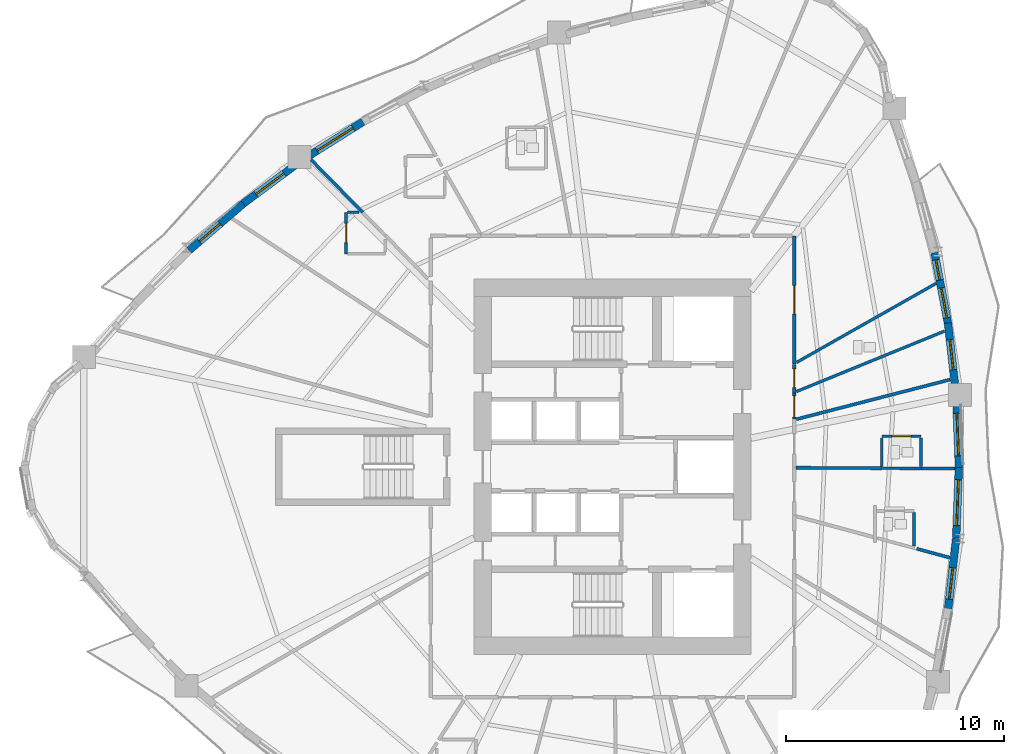
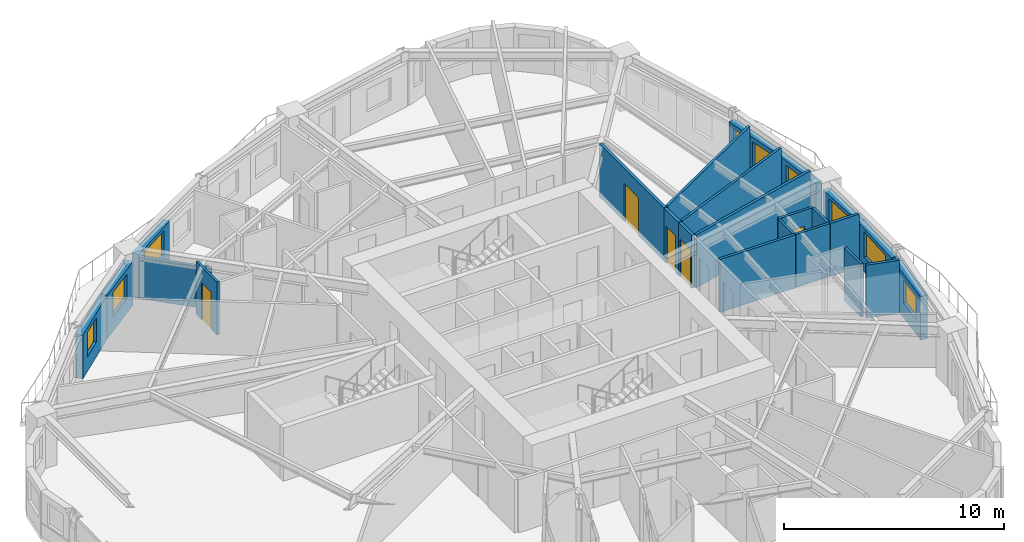
# One storey, part 7 of 13: 25 walls, 9 windows, 5 doors, 14 openings.
"""IFC4 building model written with IfcOpenShell, lengths in metres."""

from ifc_helpers import new_model, si_unit, direction, frame, frame_2d, origin, place, context, subcontext, project, spatial, rectangle, extrude, source, transform, mapped, material, layer, layer_set, type_object, element, fill, save


model = new_model("IFC4")

# Units and contexts
model_context = context("Model", 3, precision=1e-05, world=origin(), true_north=direction((0.0, 1.0)))
body_context = subcontext(model_context, "Body", "Model", "MODEL_VIEW")
ifc_project = project(units=[si_unit("LENGTHUNIT", "METRE"), si_unit("AREAUNIT", "SQUARE_METRE"), si_unit("VOLUMEUNIT", "CUBIC_METRE"), si_unit("PLANEANGLEUNIT", "RADIAN"), si_unit("MASSUNIT", "GRAM", prefix="KILO")], contexts=[model_context])

# Site, building, storey
site_placement = place(None, origin())
site = spatial("IfcSite", under=ifc_project, at=site_placement, CompositionType="ELEMENT")
building_placement = place(site_placement, origin())
building = spatial("IfcBuilding", under=site, at=building_placement, Name="Qafzar Sky-Pleat Residences", CompositionType="ELEMENT")
storey_placement = place(building_placement, frame((0.0, 0.0, 46.199951171875)))
storey = spatial("IfcBuildingStorey", under=building, at=storey_placement, Name="L13", CompositionType="ELEMENT", Elevation=46.199951171875)

# Wall, opening, door
ifc_material_1 = material(Name="Acoustic gypsum plasterboard partition", Category="gypsum")
ifc_layer_1 = layer(ifc_material_1, 0.159912109375)
ifc_layer_set_1 = layer_set([ifc_layer_1], Name="Acoustic gypsum plasterboard partition")
wall_type_1 = type_object("IfcWallType", Name="PART-COR-160", PredefinedType="PARTITIONING", material=ifc_layer_set_1)
wall_1_placement = place(storey_placement, frame((38.679931640625, 36.580078125, 0.0), z_axis=(0.0, 0.0, 1.0), x_axis=(0.0, -1.0, 0.0)))
wall_1 = element("IfcWall", 1, at=wall_1_placement, inside=storey, type_object=wall_type_1, Name="L13 Partition Wall PART-L13-PW-001", PredefinedType="PARTITIONING", context=body_context, shape_type="SweptSolid", body=[
    extrude(rectangle(XDim=5.880126953125, YDim=0.159912109375, at=frame_2d((2.93994140625, 0.0))), origin(), (0.0, 0.0, 1.0), 2.93994140625),
])
opening_1_placement = place(wall_1_placement, frame((2.281494140625, 0.0, 0.0)))
opening_1 = element("IfcOpeningElement", 2, at=opening_1_placement, cuts=wall_1, Name="Opening ID-05", PredefinedType="OPENING", context=body_context, shape_type="SweptSolid", body=[
    extrude(rectangle(XDim=1.300048828125, YDim=2.10009765625, at=frame_2d((0.64990234375, 1.050048828125))), frame((0.0, 0.08984375, 0.0), z_axis=(0.0, -1.0, 0.0), x_axis=(1.0, 0.0, 0.0)), (0.0, 0.0, 1.0), 0.179931640625),
])
ifc_material_2 = material(Name="Timber-faced fire door", Category="wood")
door_type_1 = type_object("IfcDoorType", Name="DR-LNG-1300", OperationType="DOUBLE_DOOR_SINGLE_SWING", PredefinedType="DOOR", material=ifc_material_2)
shared_shape_1 = source(origin(), body_context, "Body", "SweptSolid", [
    extrude(rectangle(XDim=1.300048828125, YDim=2.10009765625, at=frame_2d((0.64990234375, 1.050048828125))), frame((0.0, 0.02490234375, 0.0), z_axis=(0.0, -1.0, 0.0), x_axis=(1.0, 0.0, 0.0)), (0.0, 0.0, 1.0), 0.050048828125),
])
door_1_placement = place(opening_1_placement, origin())
door_1 = element("IfcDoor", 3, at=door_1_placement, inside=storey, type_object=door_type_1, Name="L13 Co-Living Lounge Door", OperationType="DOUBLE_DOOR_SINGLE_SWING", OverallHeight=2.10009765625, OverallWidth=1.300048828125, PredefinedType="DOOR", context=body_context, shape_type="MappedRepresentation", body=[
    mapped(shared_shape_1, transform((0.0, 0.0, 0.0), x_axis=(1.0, 0.0, 0.0), y_axis=(0.0, 1.0, 0.0), z_axis=(0.0, 0.0, 1.0), scale=1.0)),
])
fill(opening_1, door_1)

wall_2_placement = place(storey_placement, frame((38.679931640625, 30.68505859375, 0.0), z_axis=(0.0, 0.0, 1.0), x_axis=(0.0, -1.0, 0.0)))
wall_2 = element("IfcWall", 4, at=wall_2_placement, inside=storey, type_object=wall_type_1, Name="L13 Partition Wall PART-L13-PW-028", PredefinedType="PARTITIONING", context=body_context, shape_type="SweptSolid", body=[
    extrude(rectangle(XDim=1.301025390625, YDim=0.159912109375, at=frame_2d((0.650390625, 0.0))), origin(), (0.0, 0.0, 1.0), 2.93994140625),
])
opening_2_placement = place(wall_2_placement, frame((0.199951171875, 0.0, 0.0)))
opening_2 = element("IfcOpeningElement", 5, at=opening_2_placement, cuts=wall_2, Name="Opening ID-09", PredefinedType="OPENING", context=body_context, shape_type="SweptSolid", body=[
    extrude(rectangle(XDim=0.860107421875, YDim=2.050048828125, at=frame_2d((0.43017578125, 1.02490234375))), frame((0.0, 0.08984375, 0.0), z_axis=(0.0, -1.0, 0.0), x_axis=(1.0, 0.0, 0.0)), (0.0, 0.0, 1.0), 0.179931640625),
])
door_type_2 = type_object("IfcDoorType", Name="DR-SVC-860", OperationType="NOTDEFINED", PredefinedType="DOOR", material=ifc_material_2)
shared_shape_2 = source(origin(), body_context, "Body", "SweptSolid", [
    extrude(rectangle(XDim=0.860107421875, YDim=2.050048828125, at=frame_2d((0.43017578125, 1.02490234375))), frame((0.0, 0.02490234375, 0.0), z_axis=(0.0, -1.0, 0.0), x_axis=(1.0, 0.0, 0.0)), (0.0, 0.0, 1.0), 0.050048828125),
])
door_2_placement = place(opening_2_placement, origin())
door_2 = element("IfcDoor", 6, at=door_2_placement, inside=storey, type_object=door_type_2, Name="L13 Accessible Shared Washroom Door", OperationType="SINGLE_SWING_RIGHT", OverallHeight=2.050048828125, OverallWidth=0.860107421875, PredefinedType="DOOR", context=body_context, shape_type="MappedRepresentation", body=[
    mapped(shared_shape_2, transform((0.0, 0.0, 0.0), x_axis=(1.0, 0.0, 0.0), y_axis=(0.0, 1.0, 0.0), z_axis=(0.0, 0.0, 1.0), scale=1.0)),
])
fill(opening_2, door_2)

wall_3_placement = place(storey_placement, frame((38.679931640625, 29.368896484375, 0.0), z_axis=(0.0, 0.0, 1.0), x_axis=(0.0, -1.0, 0.0)))
wall_3 = element("IfcWall", 7, at=wall_3_placement, inside=storey, type_object=wall_type_1, Name="L13 Partition Wall PART-L13-PW-029", PredefinedType="PARTITIONING", context=body_context, shape_type="SweptSolid", body=[
    extrude(rectangle(XDim=1.18994140625, YDim=0.159912109375, at=frame_2d((0.594970703125, 0.0))), origin(), (0.0, 0.0, 1.0), 2.93994140625),
])
opening_3_placement = place(wall_3_placement, frame((0.12646484375, 0.0, 0.0)))
opening_3 = element("IfcOpeningElement", 8, at=opening_3_placement, cuts=wall_3, Name="Opening ID-06", PredefinedType="OPENING", context=body_context, shape_type="SweptSolid", body=[
    extrude(rectangle(XDim=0.9599609375, YDim=2.10009765625, at=frame_2d((0.47998046875, 1.050048828125))), frame((0.0, 0.08984375, 0.0), z_axis=(0.0, -1.0, 0.0), x_axis=(1.0, 0.0, 0.0)), (0.0, 0.0, 1.0), 0.179931640625),
])
door_type_3 = type_object("IfcDoorType", Name="DR-STD-960", OperationType="NOTDEFINED", PredefinedType="DOOR", material=ifc_material_2)
shared_shape_3 = source(origin(), body_context, "Body", "SweptSolid", [
    extrude(rectangle(XDim=0.9599609375, YDim=2.10009765625, at=frame_2d((0.47998046875, 1.050048828125))), frame((0.0, 0.02490234375, 0.0), z_axis=(0.0, -1.0, 0.0), x_axis=(1.0, 0.0, 0.0)), (0.0, 0.0, 1.0), 0.050048828125),
])
door_3_placement = place(opening_3_placement, origin())
door_3 = element("IfcDoor", 9, at=door_3_placement, inside=storey, type_object=door_type_3, Name="L13 Scholar Study Room Door", OperationType="SINGLE_SWING_LEFT", OverallHeight=2.10009765625, OverallWidth=0.9599609375, PredefinedType="DOOR", context=body_context, shape_type="MappedRepresentation", body=[
    mapped(shared_shape_3, transform((0.0, 0.0, 0.0), x_axis=(1.0, 0.0, 0.0), y_axis=(0.0, 1.0, 0.0), z_axis=(0.0, 0.0, 1.0), scale=1.0)),
])
fill(opening_3, door_3)

# Walls
ifc_layer_2 = layer(ifc_material_1, 0.14501953125)
ifc_layer_set_2 = layer_set([ifc_layer_2], Name="Acoustic gypsum plasterboard partition")
wall_type_2 = type_object("IfcWallType", Name="PART-UNIT-145", PredefinedType="PARTITIONING", material=ifc_layer_set_2)
wall_4_placement = place(storey_placement, frame((38.785888671875, 28.17529296875, 0.0), z_axis=(0.0, 0.0, 1.0), x_axis=(0.96830505458, 0.249770537242, 0.0)))
element("IfcWall", 10, at=wall_4_placement, inside=storey, type_object=wall_type_2, Name="L13 Partition Wall PART-L13-PW-043", PredefinedType="PARTITIONING", context=body_context, shape_type="SweptSolid", body=[
    extrude(rectangle(XDim=7.281982421875, YDim=0.14501953125, at=frame_2d((3.64111328125, 0.0))), origin(), (0.0, 0.0, 1.0), 2.93994140625),
])
wall_5_placement = place(storey_placement, frame((38.768310546875, 25.952392578125, 0.0), z_axis=(0.0, 0.0, 1.0), x_axis=(0.999983822916, -0.005688049444, 0.0)))
element("IfcWall", 11, at=wall_5_placement, inside=storey, type_object=wall_type_2, Name="L13 Partition Wall PART-L13-PW-047", PredefinedType="PARTITIONING", context=body_context, shape_type="SweptSolid", body=[
    extrude(rectangle(XDim=3.94873046875, YDim=0.14501953125, at=frame_2d((1.974365234375, 0.0))), origin(), (0.0, 0.0, 1.0), 2.93994140625),
])
wall_6_placement = place(storey_placement, frame((16.529052734375, 40.08056640625, 0.0), z_axis=(0.0, 0.0, 1.0), x_axis=(0.700331657038, -0.713817602859, 0.0)))
element("IfcWall", 12, at=wall_6_placement, inside=storey, type_object=wall_type_2, Name="L13 Partition Wall PART-L13-PW-051", PredefinedType="PARTITIONING", context=body_context, shape_type="SweptSolid", body=[
    extrude(rectangle(XDim=3.38525390625, YDim=0.14501953125, at=frame_2d((1.692626953125, 0.0))), origin(), (0.0, 0.0, 1.0), 2.30810546875),
])
wall_7_placement = place(storey_placement, frame((44.30517578125, 22.23828125, 0.0), z_axis=(0.0, 0.0, 1.0), x_axis=(0.96544085657, -0.260622240925, 0.0)))
element("IfcWall", 13, at=wall_7_placement, inside=storey, type_object=wall_type_2, Name="L13 Partition Wall PART-L13-PW-072", PredefinedType="PARTITIONING", context=body_context, shape_type="SweptSolid", body=[
    extrude(rectangle(XDim=1.5654296875, YDim=0.14501953125, at=frame_2d((0.78271484375, 0.0))), origin(), (0.0, 0.0, 1.0), 2.93994140625),
])
wall_8_placement = place(storey_placement, frame((44.531982421875, 25.919677734375, 0.0), z_axis=(0.0, 0.0, 1.0), x_axis=(0.999984138171, -0.00563235353, 0.0)))
element("IfcWall", 14, at=wall_8_placement, inside=storey, type_object=wall_type_2, Name="L13 Partition Wall PART-L13-PW-077", PredefinedType="PARTITIONING", context=body_context, shape_type="SweptSolid", body=[
    extrude(rectangle(XDim=1.51708984375, YDim=0.14501953125, at=frame_2d((0.758544921875, 0.0))), origin(), (0.0, 0.0, 1.0), 2.93994140625),
])

# Wall, opening, door
ifc_material_3 = material(Name="Moisture-resistant gypsum partition", Category="gypsum")
ifc_layer_3 = layer(ifc_material_3, 0.1298828125)
ifc_layer_set_3 = layer_set([ifc_layer_3], Name="Moisture-resistant gypsum partition")
wall_type_3 = type_object("IfcWallType", Name="PART-WET-130", PredefinedType="PARTITIONING", material=ifc_layer_set_3)
wall_9_placement = place(storey_placement, frame((18.137939453125, 37.6640625, 0.0), z_axis=(0.0, 0.0, 1.0), x_axis=(0.0, -1.0, 0.0)))
wall_9 = element("IfcWall", 15, at=wall_9_placement, inside=storey, type_object=wall_type_3, Name="L13 Partition Wall PART-L13-PW-019", PredefinedType="PARTITIONING", context=body_context, shape_type="SweptSolid", body=[
    extrude(rectangle(XDim=1.900146484375, YDim=0.1298828125, at=frame_2d((0.9501953125, 0.0))), origin(), (0.0, 0.0, 1.0), 2.93994140625),
])
opening_4_placement = place(wall_9_placement, frame((0.510009765625, 0.0, 0.0)))
opening_4 = element("IfcOpeningElement", 16, at=opening_4_placement, cuts=wall_9, Name="Opening ID-07", PredefinedType="OPENING", context=body_context, shape_type="SweptSolid", body=[
    extrude(rectangle(XDim=0.8798828125, YDim=2.050048828125, at=frame_2d((0.43994140625, 1.02490234375))), frame((0.0, 0.074951171875, 0.0), z_axis=(0.0, -1.0, 0.0), x_axis=(1.0, 0.0, 0.0)), (0.0, 0.0, 1.0), 0.14990234375),
])
door_type_4 = type_object("IfcDoorType", Name="DR-WET-880", OperationType="NOTDEFINED", PredefinedType="DOOR", material=ifc_material_2)
shared_shape_4 = source(origin(), body_context, "Body", "SweptSolid", [
    extrude(rectangle(XDim=0.8798828125, YDim=2.050048828125, at=frame_2d((0.43994140625, 1.02490234375))), frame((0.0, 0.02490234375, 0.0), z_axis=(0.0, -1.0, 0.0), x_axis=(1.0, 0.0, 0.0)), (0.0, 0.0, 1.0), 0.050048828125),
])
door_4_placement = place(opening_4_placement, origin())
door_4 = element("IfcDoor", 17, at=door_4_placement, inside=storey, type_object=door_type_4, Name="L13 En-suite Bathroom 8 Door", OperationType="SINGLE_SWING_LEFT", OverallHeight=2.050048828125, OverallWidth=0.8798828125, PredefinedType="DOOR", context=body_context, shape_type="MappedRepresentation", body=[
    mapped(shared_shape_4, transform((0.0, 0.0, 0.0), x_axis=(1.0, 0.0, 0.0), y_axis=(0.0, 1.0, 0.0), z_axis=(0.0, 0.0, 1.0), scale=1.0)),
])
fill(opening_4, door_4)

wall_10_placement = place(storey_placement, frame((44.501953125, 27.39990234375, 0.0), z_axis=(0.0, 0.0, 1.0), x_axis=(-1.0, 0.0, 0.0)))
wall_10 = element("IfcWall", 18, at=wall_10_placement, inside=storey, type_object=wall_type_3, Name="L13 Partition Wall PART-L13-PW-023", PredefinedType="PARTITIONING", context=body_context, shape_type="SweptSolid", body=[
    extrude(rectangle(XDim=1.800048828125, YDim=0.1298828125, at=frame_2d((0.89990234375, 0.0))), origin(), (0.0, 0.0, 1.0), 2.93994140625),
])
opening_5_placement = place(wall_10_placement, frame((0.4599609375, 0.0, 0.0)))
opening_5 = element("IfcOpeningElement", 19, at=opening_5_placement, cuts=wall_10, Name="Opening ID-07", PredefinedType="OPENING", context=body_context, shape_type="SweptSolid", body=[
    extrude(rectangle(XDim=0.8798828125, YDim=2.050048828125, at=frame_2d((0.43994140625, 1.02490234375))), frame((0.0, 0.074951171875, 0.0), z_axis=(0.0, -1.0, 0.0), x_axis=(1.0, 0.0, 0.0)), (0.0, 0.0, 1.0), 0.14990234375),
])
door_5_placement = place(opening_5_placement, origin())
door_5 = element("IfcDoor", 20, at=door_5_placement, inside=storey, type_object=door_type_4, Name="L13 En-suite Bathroom 4 Door", OperationType="SINGLE_SWING_LEFT", OverallHeight=2.050048828125, OverallWidth=0.8798828125, PredefinedType="DOOR", context=body_context, shape_type="MappedRepresentation", body=[
    mapped(shared_shape_4, transform((0.0, 0.0, 0.0), x_axis=(1.0, 0.0, 0.0), y_axis=(0.0, 1.0, 0.0), z_axis=(0.0, 0.0, 1.0), scale=1.0)),
])
fill(opening_5, door_5)

# Walls
wall_11_placement = place(storey_placement, frame((38.799072265625, 30.784423828125, 0.0), z_axis=(0.0, 0.0, 1.0), x_axis=(0.870159349722, 0.492770439547, 0.0)))
element("IfcWall", 21, at=wall_11_placement, inside=storey, type_object=wall_type_3, Name="L13 Partition Wall PART-L13-PW-041", PredefinedType="PARTITIONING", context=body_context, shape_type="SweptSolid", body=[
    extrude(rectangle(XDim=7.352783203125, YDim=0.1298828125, at=frame_2d((3.67626953125, 0.0))), origin(), (0.0, 0.0, 1.0), 2.93994140625),
])
wall_12_placement = place(storey_placement, frame((38.7919921875, 29.44677734375, 0.0), z_axis=(0.0, 0.0, 1.0), x_axis=(0.925857634668, 0.377872518618, 0.0)))
element("IfcWall", 22, at=wall_12_placement, inside=storey, type_object=wall_type_3, Name="L13 Partition Wall PART-L13-PW-042", PredefinedType="PARTITIONING", context=body_context, shape_type="SweptSolid", body=[
    extrude(rectangle(XDim=7.327880859375, YDim=0.1298828125, at=frame_2d((3.6640625, 0.0))), origin(), (0.0, 0.0, 1.0), 2.93994140625),
])
wall_13_placement = place(storey_placement, frame((42.73193359375, 25.9296875, 0.0), z_axis=(0.0, 0.0, 1.0), x_axis=(0.999985037372, -0.005470377666, 0.0)))
element("IfcWall", 23, at=wall_13_placement, inside=storey, type_object=wall_type_3, Name="L13 Partition Wall PART-L13-PW-068", PredefinedType="PARTITIONING", context=body_context, shape_type="SweptSolid", body=[
    extrude(rectangle(XDim=1.78515625, YDim=0.1298828125, at=frame_2d((0.892578125, 0.0))), origin(), (0.0, 0.0, 1.0), 2.93994140625),
])
wall_14_placement = place(storey_placement, frame((44.18408203125, 22.36376953125, 0.0), z_axis=(0.0, 0.0, 1.0), x_axis=(0.0, 1.0, 0.0)))
element("IfcWall", 24, at=wall_14_placement, inside=storey, type_object=wall_type_3, Name="L13 Partition Wall PART-L13-PW-070", PredefinedType="PARTITIONING", context=body_context, shape_type="SweptSolid", body=[
    extrude(rectangle(XDim=1.53515625, YDim=0.1298828125, at=frame_2d((0.767578125, 0.0))), origin(), (0.0, 0.0, 1.0), 2.93994140625),
])
wall_15_placement = place(storey_placement, frame((44.501953125, 26.0009765625, 0.0), z_axis=(0.0, 0.0, 1.0), x_axis=(0.0, 1.0, 0.0)))
element("IfcWall", 25, at=wall_15_placement, inside=storey, type_object=wall_type_3, Name="L13 Partition Wall PART-L13-PW-078", PredefinedType="PARTITIONING", context=body_context, shape_type="SweptSolid", body=[
    extrude(rectangle(XDim=1.325927734375, YDim=0.1298828125, at=frame_2d((0.6630859375, 0.0))), origin(), (0.0, 0.0, 1.0), 2.93994140625),
])
wall_16_placement = place(storey_placement, frame((42.701904296875, 26.010986328125, 0.0), z_axis=(0.0, 0.0, 1.0), x_axis=(0.0, 1.0, 0.0)))
element("IfcWall", 26, at=wall_16_placement, inside=storey, type_object=wall_type_3, Name="L13 Partition Wall PART-L13-PW-079", PredefinedType="PARTITIONING", context=body_context, shape_type="SweptSolid", body=[
    extrude(rectangle(XDim=1.31591796875, YDim=0.1298828125, at=frame_2d((0.657958984375, 0.0))), origin(), (0.0, 0.0, 1.0), 2.93994140625),
])
wall_17_placement = place(storey_placement, frame((18.2109375, 37.6640625, 0.0), z_axis=(0.0, 0.0, 1.0), x_axis=(1.0, 0.0, 0.0)))
element("IfcWall", 27, at=wall_17_placement, inside=storey, type_object=wall_type_3, Name="L13 Partition Wall PART-L13-PW-086", PredefinedType="PARTITIONING", context=body_context, shape_type="SweptSolid", body=[
    extrude(rectangle(XDim=0.515869140625, YDim=0.1298828125, at=frame_2d((0.2578125, 0.0))), origin(), (0.0, 0.0, 1.0), 2.508056640625),
])

# Wall, opening, window
ifc_material_4 = material(Name="Precast concrete C40/50 with honed Riyadh limestone", Category="concrete")
ifc_layer_4 = layer(ifc_material_4, 0.35009765625)
ifc_layer_set_4 = layer_set([ifc_layer_4], Name="Precast concrete C40/50 with honed Riyadh limestone")
wall_type_4 = type_object("IfcWallType", Name="WALL-EXT-350", PredefinedType="SOLIDWALL", material=ifc_layer_set_4)
wall_18_placement = place(storey_placement, frame((45.735107421875, 19.4072265625, 0.0), z_axis=(0.0, 0.0, 1.0), x_axis=(0.113314766684, 0.993559139484, 0.0)))
wall_18 = element("IfcWall", 28, at=wall_18_placement, inside=storey, type_object=wall_type_4, Name="L13 Limestone Facade Wall 26", PredefinedType="SOLIDWALL", context=body_context, shape_type="SweptSolid", body=[
    extrude(rectangle(XDim=3.32666015625, YDim=0.35009765625, at=frame_2d((1.663330078125, 0.0))), origin(), (0.0, 0.0, 1.0), 2.420166015625),
])
opening_6_placement = place(wall_18_placement, frame((0.521240234375, 0.0, 0.820068359375)))
opening_6 = element("IfcOpeningElement", 29, at=opening_6_placement, cuts=wall_18, Name="Opening WN-15", PredefinedType="OPENING", context=body_context, shape_type="SweptSolid", body=[
    extrude(rectangle(XDim=1.449951171875, YDim=1.25, at=frame_2d((0.72509765625, 0.625))), frame((0.0, 0.18505859375, 0.0), z_axis=(0.0, -1.0, 0.0), x_axis=(1.0, 0.0, 0.0)), (0.0, 0.0, 1.0), 0.3701171875),
])
ifc_material_5 = material(Name="Solar-control low-E glass in bronze aluminium frame", Category="glass")
window_type_1 = type_object("IfcWindowType", Name="WIN-15", PartitioningType="SINGLE_PANEL", PredefinedType="WINDOW", material=ifc_material_5)
shared_shape_5 = source(origin(), body_context, "Body", "SweptSolid", [
    extrude(rectangle(XDim=1.449951171875, YDim=1.25, at=frame_2d((0.72509765625, 0.625))), frame((0.0, 0.030029296875, 0.0), z_axis=(0.0, -1.0, 0.0), x_axis=(1.0, 0.0, 0.0)), (0.0, 0.0, 1.0), 0.06005859375),
])
window_1_placement = place(opening_6_placement, origin())
window_1 = element("IfcWindow", 30, at=window_1_placement, inside=storey, type_object=window_type_1, Name="L13 Punched Facade Window 26", OverallHeight=1.25, OverallWidth=1.449951171875, PartitioningType="SINGLE_PANEL", PredefinedType="WINDOW", context=body_context, shape_type="MappedRepresentation", body=[
    mapped(shared_shape_5, transform((0.0, 0.0, 0.0), x_axis=(1.0, 0.0, 0.0), y_axis=(0.0, 1.0, 0.0), z_axis=(0.0, 0.0, 1.0), scale=1.0)),
])
fill(opening_6, window_1)

wall_19_placement = place(storey_placement, frame((46.114013671875, 22.7392578125, 0.0), z_axis=(0.0, 0.0, 1.0), x_axis=(0.038010770715, 0.999277329529, 0.0)))
wall_19 = element("IfcWall", 31, at=wall_19_placement, inside=storey, type_object=wall_type_4, Name="L13 Limestone Facade Wall 27", PredefinedType="SOLIDWALL", context=body_context, shape_type="SweptSolid", body=[
    extrude(rectangle(XDim=3.307861328125, YDim=0.35009765625, at=frame_2d((1.65380859375, 0.0))), origin(), (0.0, 0.0, 1.0), 2.420166015625),
])
opening_7_placement = place(wall_19_placement, frame((0.56396484375, 0.0, 0.820068359375)))
opening_7 = element("IfcOpeningElement", 32, at=opening_7_placement, cuts=wall_19, Name="Opening WN-07", PredefinedType="OPENING", context=body_context, shape_type="SweptSolid", body=[
    extrude(rectangle(XDim=2.10009765625, YDim=1.39990234375, at=frame_2d((1.050048828125, 0.699951171875))), frame((0.0, 0.18505859375, 0.0), z_axis=(0.0, -1.0, 0.0), x_axis=(1.0, 0.0, 0.0)), (0.0, 0.0, 1.0), 0.3701171875),
])
window_type_2 = type_object("IfcWindowType", Name="WIN-07", PartitioningType="DOUBLE_PANEL_VERTICAL", PredefinedType="WINDOW", material=ifc_material_5)
shared_shape_6 = source(origin(), body_context, "Body", "SweptSolid", [
    extrude(rectangle(XDim=2.10009765625, YDim=1.39990234375, at=frame_2d((1.050048828125, 0.699951171875))), frame((0.0, 0.030029296875, 0.0), z_axis=(0.0, -1.0, 0.0), x_axis=(1.0, 0.0, 0.0)), (0.0, 0.0, 1.0), 0.06005859375),
])
window_2_placement = place(opening_7_placement, origin())
window_2 = element("IfcWindow", 33, at=window_2_placement, inside=storey, type_object=window_type_2, Name="L13 Punched Facade Window 27", OverallHeight=1.39990234375, OverallWidth=2.10009765625, PartitioningType="SINGLE_PANEL", PredefinedType="WINDOW", context=body_context, shape_type="MappedRepresentation", body=[
    mapped(shared_shape_6, transform((0.0, 0.0, 0.0), x_axis=(1.0, 0.0, 0.0), y_axis=(0.0, 1.0, 0.0), z_axis=(0.0, 0.0, 1.0), scale=1.0)),
])
fill(opening_7, window_2)

wall_20_placement = place(storey_placement, frame((46.23974609375, 25.955322265625, 0.0), z_axis=(0.0, 0.0, 1.0), x_axis=(-0.038058423581, 0.999275515759, 0.0)))
wall_20 = element("IfcWall", 34, at=wall_20_placement, inside=storey, type_object=wall_type_4, Name="L13 Limestone Facade Wall 28", PredefinedType="SOLIDWALL", context=body_context, shape_type="SweptSolid", body=[
    extrude(rectangle(XDim=3.02783203125, YDim=0.35009765625, at=frame_2d((1.513916015625, 0.0))), origin(), (0.0, 0.0, 1.0), 2.420166015625),
])
opening_8_placement = place(wall_20_placement, frame((0.5439453125, 0.0, 0.820068359375)))
opening_8 = element("IfcOpeningElement", 35, at=opening_8_placement, cuts=wall_20, Name="Opening WN-08", PredefinedType="OPENING", context=body_context, shape_type="SweptSolid", body=[
    extrude(rectangle(XDim=1.949951171875, YDim=1.39990234375, at=frame_2d((0.97509765625, 0.699951171875))), frame((0.0, 0.18505859375, 0.0), z_axis=(0.0, -1.0, 0.0), x_axis=(1.0, 0.0, 0.0)), (0.0, 0.0, 1.0), 0.3701171875),
])
window_type_3 = type_object("IfcWindowType", Name="WIN-08", PartitioningType="DOUBLE_PANEL_VERTICAL", PredefinedType="WINDOW", material=ifc_material_5)
shared_shape_7 = source(origin(), body_context, "Body", "SweptSolid", [
    extrude(rectangle(XDim=1.949951171875, YDim=1.39990234375, at=frame_2d((0.97509765625, 0.699951171875))), frame((0.0, 0.030029296875, 0.0), z_axis=(0.0, -1.0, 0.0), x_axis=(1.0, 0.0, 0.0)), (0.0, 0.0, 1.0), 0.06005859375),
])
window_3_placement = place(opening_8_placement, origin())
window_3 = element("IfcWindow", 36, at=window_3_placement, inside=storey, type_object=window_type_3, Name="L13 Punched Facade Window 28", OverallHeight=1.39990234375, OverallWidth=1.949951171875, PartitioningType="SINGLE_PANEL", PredefinedType="WINDOW", context=body_context, shape_type="MappedRepresentation", body=[
    mapped(shared_shape_7, transform((0.0, 0.0, 0.0), x_axis=(1.0, 0.0, 0.0), y_axis=(0.0, 1.0, 0.0), z_axis=(0.0, 0.0, 1.0), scale=1.0)),
])
fill(opening_8, window_3)

wall_21_placement = place(storey_placement, frame((46.080322265625, 29.565673828125, 0.0), z_axis=(0.0, 0.0, 1.0), x_axis=(-0.113307030468, 0.993560021763, 0.0)))
wall_21 = element("IfcWall", 37, at=wall_21_placement, inside=storey, type_object=wall_type_4, Name="L13 Limestone Facade Wall 29", PredefinedType="SOLIDWALL", context=body_context, shape_type="SweptSolid", body=[
    extrude(rectangle(XDim=3.046630859375, YDim=0.35009765625, at=frame_2d((1.5234375, 0.0))), origin(), (0.0, 0.0, 1.0), 2.420166015625),
])
opening_9_placement = place(wall_21_placement, frame((0.878662109375, 0.0, 0.820068359375)))
opening_9 = element("IfcOpeningElement", 38, at=opening_9_placement, cuts=wall_21, Name="Opening WN-10", PredefinedType="OPENING", context=body_context, shape_type="SweptSolid", body=[
    extrude(rectangle(XDim=1.39990234375, YDim=1.35009765625, at=frame_2d((0.699951171875, 0.675048828125))), frame((0.0, 0.18505859375, 0.0), z_axis=(0.0, -1.0, 0.0), x_axis=(1.0, 0.0, 0.0)), (0.0, 0.0, 1.0), 0.3701171875),
])
window_type_4 = type_object("IfcWindowType", Name="WIN-10", PartitioningType="SINGLE_PANEL", PredefinedType="WINDOW", material=ifc_material_5)
shared_shape_8 = source(origin(), body_context, "Body", "SweptSolid", [
    extrude(rectangle(XDim=1.39990234375, YDim=1.35009765625, at=frame_2d((0.699951171875, 0.675048828125))), frame((0.0, 0.030029296875, 0.0), z_axis=(0.0, -1.0, 0.0), x_axis=(1.0, 0.0, 0.0)), (0.0, 0.0, 1.0), 0.06005859375),
])
window_4_placement = place(opening_9_placement, origin())
window_4 = element("IfcWindow", 39, at=window_4_placement, inside=storey, type_object=window_type_4, Name="L13 Punched Facade Window 29-2", OverallHeight=1.35009765625, OverallWidth=1.39990234375, PartitioningType="SINGLE_PANEL", PredefinedType="WINDOW", context=body_context, shape_type="MappedRepresentation", body=[
    mapped(shared_shape_8, transform((0.0, 0.0, 0.0), x_axis=(1.0, 0.0, 0.0), y_axis=(0.0, 1.0, 0.0), z_axis=(0.0, 0.0, 1.0), scale=1.0)),
])
fill(opening_9, window_4)

# Wall, openings, windows
wall_22_placement = place(storey_placement, frame((45.74853515625, 32.5048828125, 0.0), z_axis=(0.0, 0.0, 1.0), x_axis=(-0.186645237066, 0.98242737924, 0.0)))
wall_22 = element("IfcWall", 40, at=wall_22_placement, inside=storey, type_object=wall_type_4, Name="L13 Limestone Facade Wall 30", PredefinedType="SOLIDWALL", context=body_context, shape_type="SweptSolid", body=[
    extrude(rectangle(XDim=3.3642578125, YDim=0.35009765625, at=frame_2d((1.68212890625, 0.0))), origin(), (0.0, 0.0, 1.0), 2.420166015625),
])
opening_10_placement = place(wall_22_placement, frame((0.329833984375, 0.0, 0.820068359375)))
opening_10 = element("IfcOpeningElement", 41, at=opening_10_placement, cuts=wall_22, Name="Opening WN-10", PredefinedType="OPENING", context=body_context, shape_type="SweptSolid", body=[
    extrude(rectangle(XDim=1.39990234375, YDim=1.35009765625, at=frame_2d((0.699951171875, 0.675048828125))), frame((0.0, 0.18505859375, 0.0), z_axis=(0.0, -1.0, 0.0), x_axis=(1.0, 0.0, 0.0)), (0.0, 0.0, 1.0), 0.3701171875),
])
opening_11_placement = place(wall_22_placement, frame((2.0869140625, 0.0, 0.820068359375)))
opening_11 = element("IfcOpeningElement", 42, at=opening_11_placement, cuts=wall_22, Name="Opening WN-12", PredefinedType="OPENING", context=body_context, shape_type="SweptSolid", body=[
    extrude(rectangle(XDim=0.949951171875, YDim=1.35009765625, at=frame_2d((0.47509765625, 0.675048828125))), frame((0.0, 0.18505859375, 0.0), z_axis=(0.0, -1.0, 0.0), x_axis=(1.0, 0.0, 0.0)), (0.0, 0.0, 1.0), 0.3701171875),
])
window_type_5 = type_object("IfcWindowType", Name="WIN-12", PartitioningType="SINGLE_PANEL", PredefinedType="WINDOW", material=ifc_material_5)
shared_shape_9 = source(origin(), body_context, "Body", "SweptSolid", [
    extrude(rectangle(XDim=0.949951171875, YDim=1.35009765625, at=frame_2d((0.47509765625, 0.675048828125))), frame((0.0, 0.030029296875, 0.0), z_axis=(0.0, -1.0, 0.0), x_axis=(1.0, 0.0, 0.0)), (0.0, 0.0, 1.0), 0.06005859375),
])
window_5_placement = place(opening_11_placement, origin())
window_5 = element("IfcWindow", 43, at=window_5_placement, inside=storey, type_object=window_type_5, Name="L13 Punched Facade Window 30-2", OverallHeight=1.35009765625, OverallWidth=0.949951171875, PartitioningType="SINGLE_PANEL", PredefinedType="WINDOW", context=body_context, shape_type="MappedRepresentation", body=[
    mapped(shared_shape_9, transform((0.0, 0.0, 0.0), x_axis=(1.0, 0.0, 0.0), y_axis=(0.0, 1.0, 0.0), z_axis=(0.0, 0.0, 1.0), scale=1.0)),
])
fill(opening_11, window_5)
window_6_placement = place(opening_10_placement, origin())
window_6 = element("IfcWindow", 44, at=window_6_placement, inside=storey, type_object=window_type_4, Name="L13 Punched Facade Window 30", OverallHeight=1.35009765625, OverallWidth=1.39990234375, PartitioningType="SINGLE_PANEL", PredefinedType="WINDOW", context=body_context, shape_type="MappedRepresentation", body=[
    mapped(shared_shape_8, transform((0.0, 0.0, 0.0), x_axis=(1.0, 0.0, 0.0), y_axis=(0.0, 1.0, 0.0), z_axis=(0.0, 0.0, 1.0), scale=1.0)),
])
fill(opening_10, window_6)

# Wall, opening, window
wall_23_placement = place(storey_placement, frame((18.9189453125, 41.818359375, 0.0), z_axis=(0.0, 0.0, 1.0), x_axis=(-0.846409172462, -0.532533109555, 0.0)))
wall_23 = element("IfcWall", 45, at=wall_23_placement, inside=storey, type_object=wall_type_4, Name="L13 Limestone Facade Wall 44", PredefinedType="SOLIDWALL", context=body_context, shape_type="SweptSolid", body=[
    extrude(rectangle(XDim=3.028076171875, YDim=0.35009765625, at=frame_2d((1.51416015625, 0.0))), origin(), (0.0, 0.0, 1.0), 2.420166015625),
])
opening_12_placement = place(wall_23_placement, frame((0.542724609375, 0.0, 0.820068359375)))
opening_12 = element("IfcOpeningElement", 46, at=opening_12_placement, cuts=wall_23, Name="Opening WN-08", PredefinedType="OPENING", context=body_context, shape_type="SweptSolid", body=[
    extrude(rectangle(XDim=1.949951171875, YDim=1.39990234375, at=frame_2d((0.97509765625, 0.699951171875))), frame((0.0, 0.18505859375, 0.0), z_axis=(0.0, -1.0, 0.0), x_axis=(1.0, 0.0, 0.0)), (0.0, 0.0, 1.0), 0.3701171875),
])
window_7_placement = place(opening_12_placement, origin())
window_7 = element("IfcWindow", 47, at=window_7_placement, inside=storey, type_object=window_type_3, Name="L13 Punched Facade Window 44", OverallHeight=1.39990234375, OverallWidth=1.949951171875, PartitioningType="SINGLE_PANEL", PredefinedType="WINDOW", context=body_context, shape_type="MappedRepresentation", body=[
    mapped(shared_shape_7, transform((0.0, 0.0, 0.0), x_axis=(1.0, 0.0, 0.0), y_axis=(0.0, 1.0, 0.0), z_axis=(0.0, 0.0, 1.0), scale=1.0)),
])
fill(opening_12, window_7)

wall_24_placement = place(storey_placement, frame((15.871826171875, 39.875244140625, 0.0), z_axis=(0.0, 0.0, 1.0), x_axis=(-0.803801282622, -0.594897888763, 0.0)))
wall_24 = element("IfcWall", 48, at=wall_24_placement, inside=storey, type_object=wall_type_4, Name="L13 Limestone Facade Wall 45", PredefinedType="SOLIDWALL", context=body_context, shape_type="SweptSolid", body=[
    extrude(rectangle(XDim=3.046630859375, YDim=0.35009765625, at=frame_2d((1.5234375, 0.0))), origin(), (0.0, 0.0, 1.0), 2.420166015625),
])
opening_13_placement = place(wall_24_placement, frame((0.718505859375, 0.0, 0.820068359375)))
opening_13 = element("IfcOpeningElement", 49, at=opening_13_placement, cuts=wall_24, Name="Opening WN-09", PredefinedType="OPENING", context=body_context, shape_type="SweptSolid", body=[
    extrude(rectangle(XDim=1.60009765625, YDim=1.35009765625, at=frame_2d((0.800048828125, 0.675048828125))), frame((0.0, 0.18505859375, 0.0), z_axis=(0.0, -1.0, 0.0), x_axis=(1.0, 0.0, 0.0)), (0.0, 0.0, 1.0), 0.3701171875),
])
window_type_6 = type_object("IfcWindowType", Name="WIN-09", PartitioningType="DOUBLE_PANEL_VERTICAL", PredefinedType="WINDOW", material=ifc_material_5)
shared_shape_10 = source(origin(), body_context, "Body", "SweptSolid", [
    extrude(rectangle(XDim=1.60009765625, YDim=1.35009765625, at=frame_2d((0.800048828125, 0.675048828125))), frame((0.0, 0.030029296875, 0.0), z_axis=(0.0, -1.0, 0.0), x_axis=(1.0, 0.0, 0.0)), (0.0, 0.0, 1.0), 0.06005859375),
])
window_8_placement = place(opening_13_placement, origin())
window_8 = element("IfcWindow", 50, at=window_8_placement, inside=storey, type_object=window_type_6, Name="L13 Punched Facade Window 45", OverallHeight=1.35009765625, OverallWidth=1.60009765625, PartitioningType="SINGLE_PANEL", PredefinedType="WINDOW", context=body_context, shape_type="MappedRepresentation", body=[
    mapped(shared_shape_10, transform((0.0, 0.0, 0.0), x_axis=(1.0, 0.0, 0.0), y_axis=(0.0, 1.0, 0.0), z_axis=(0.0, 0.0, 1.0), scale=1.0)),
])
fill(opening_13, window_8)

wall_25_placement = place(storey_placement, frame((13.4921875, 38.1181640625, 0.0), z_axis=(0.0, 0.0, 1.0), x_axis=(-0.7574607021, -0.652880758465, 0.0)))
wall_25 = element("IfcWall", 51, at=wall_25_placement, inside=storey, type_object=wall_type_4, Name="L13 Limestone Facade Wall 46", PredefinedType="SOLIDWALL", context=body_context, shape_type="SweptSolid", body=[
    extrude(rectangle(XDim=3.364013671875, YDim=0.35009765625, at=frame_2d((1.68212890625, 0.0))), origin(), (0.0, 0.0, 1.0), 2.420166015625),
])
opening_14_placement = place(wall_25_placement, frame((1.491943359375, 0.0, 0.820068359375)))
opening_14 = element("IfcOpeningElement", 52, at=opening_14_placement, cuts=wall_25, Name="Opening WN-11", PredefinedType="OPENING", context=body_context, shape_type="SweptSolid", body=[
    extrude(rectangle(XDim=1.25, YDim=1.35009765625, at=frame_2d((0.625, 0.675048828125))), frame((0.0, 0.18505859375, 0.0), z_axis=(0.0, -1.0, 0.0), x_axis=(1.0, 0.0, 0.0)), (0.0, 0.0, 1.0), 0.3701171875),
])
window_type_7 = type_object("IfcWindowType", Name="WIN-11", PartitioningType="SINGLE_PANEL", PredefinedType="WINDOW", material=ifc_material_5)
shared_shape_11 = source(origin(), body_context, "Body", "SweptSolid", [
    extrude(rectangle(XDim=1.25, YDim=1.35009765625, at=frame_2d((0.625, 0.675048828125))), frame((0.0, 0.030029296875, 0.0), z_axis=(0.0, -1.0, 0.0), x_axis=(1.0, 0.0, 0.0)), (0.0, 0.0, 1.0), 0.06005859375),
])
window_9_placement = place(opening_14_placement, origin())
window_9 = element("IfcWindow", 53, at=window_9_placement, inside=storey, type_object=window_type_7, Name="L13 Punched Facade Window 46-2", OverallHeight=1.35009765625, OverallWidth=1.25, PartitioningType="SINGLE_PANEL", PredefinedType="WINDOW", context=body_context, shape_type="MappedRepresentation", body=[
    mapped(shared_shape_11, transform((0.0, 0.0, 0.0), x_axis=(1.0, 0.0, 0.0), y_axis=(0.0, 1.0, 0.0), z_axis=(0.0, 0.0, 1.0), scale=1.0)),
])
fill(opening_14, window_9)

save(model, "model.ifc")
